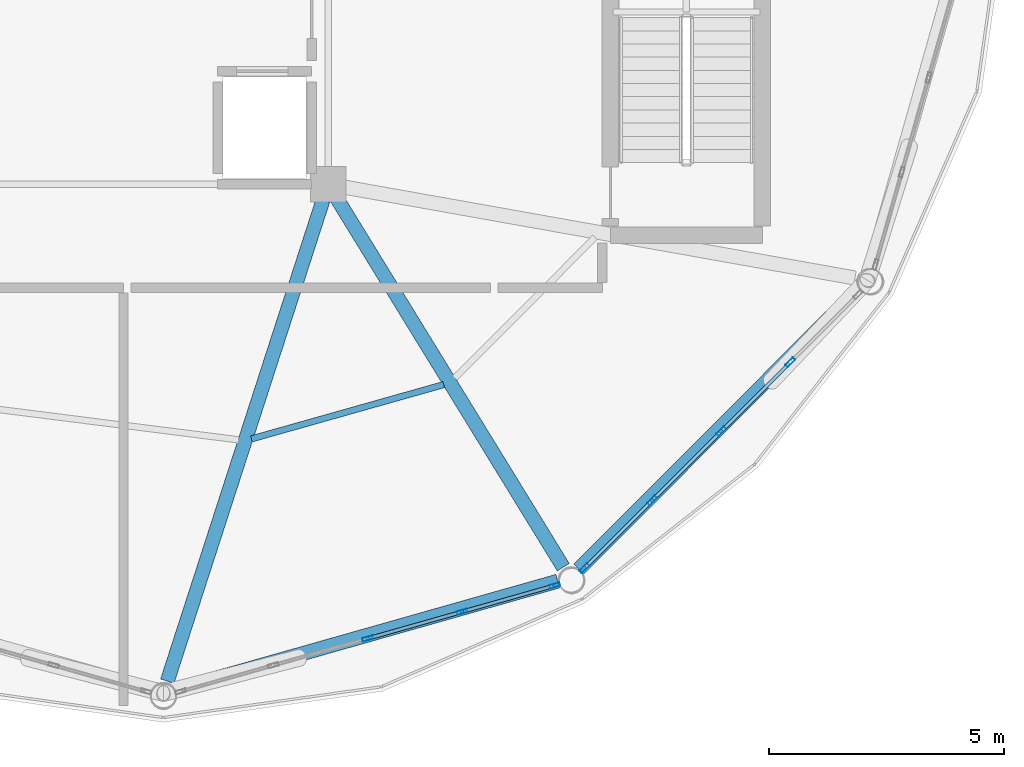
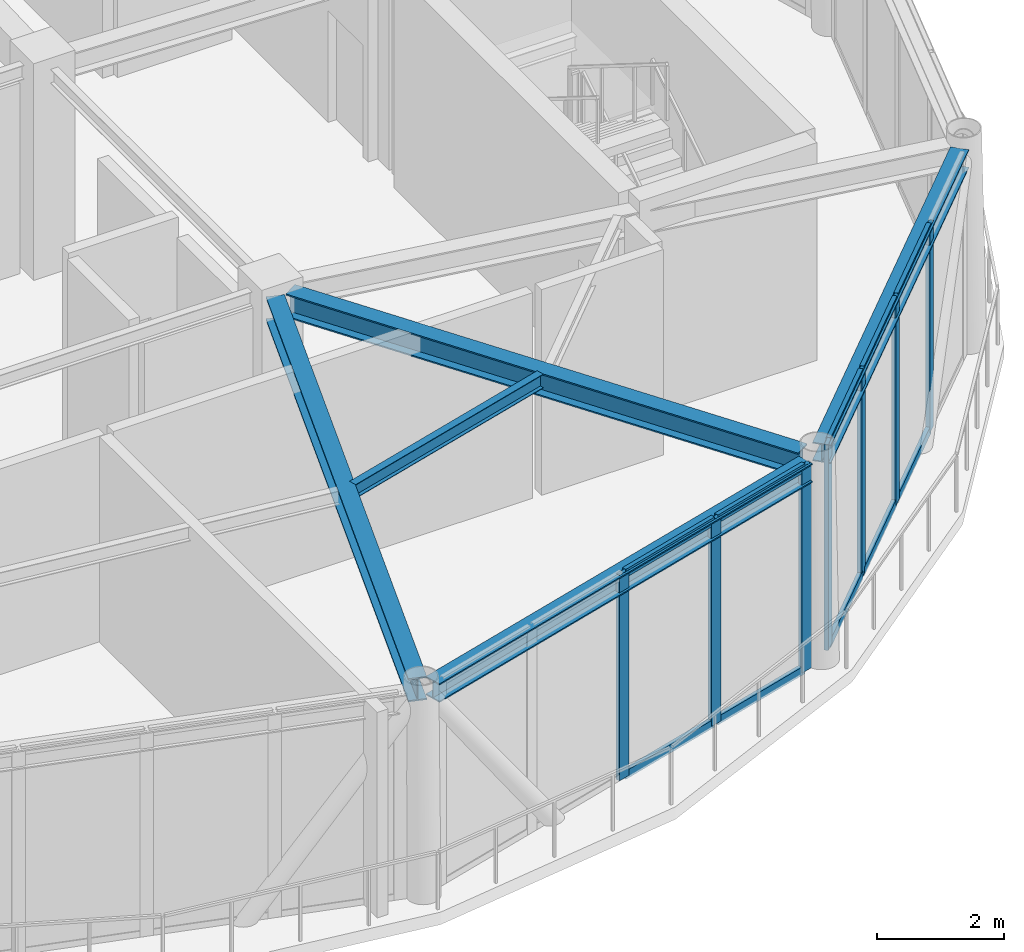
# One storey, part 5 of 20: 17 members, 5 beams, 2 elements without a shape of their own.
"""IFC4 building model written with IfcOpenShell, lengths in metres."""

from ifc_helpers import new_model, si_unit, direction, frame, origin, origin_2d, place, context, subcontext, project, spatial, hollow_rectangle, i_section, extrude, material, layer, layer_set, material_profile, profile_set, type_object, element, aggregate, save


model = new_model("IFC4")

# Units and contexts
model_context = context("Model", 3, precision=1e-05, world=origin(), true_north=direction((0.0, 1.0)))
body_context = subcontext(model_context, "Body", "Model", "MODEL_VIEW")
ifc_project = project(units=[si_unit("LENGTHUNIT", "METRE"), si_unit("AREAUNIT", "SQUARE_METRE"), si_unit("VOLUMEUNIT", "CUBIC_METRE"), si_unit("PLANEANGLEUNIT", "RADIAN"), si_unit("MASSUNIT", "GRAM", prefix="KILO")], contexts=[model_context])

# Site, building, storey
site_placement = place(None, origin())
site = spatial("IfcSite", under=ifc_project, at=site_placement, CompositionType="ELEMENT")
building_placement = place(site_placement, origin())
building = spatial("IfcBuilding", under=site, at=building_placement, Name="Varnakorn Sky Granary", CompositionType="ELEMENT")
storey_placement = place(building_placement, frame((0.0, 0.0, 302.39990234375)))
storey = spatial("IfcBuildingStorey", under=building, at=storey_placement, Name="L77", CompositionType="ELEMENT", Elevation=302.39990234375)

# Beams
ifc_material_1 = material(Name="Steel S355JR", Category="steel")
ifc_material_profile_1 = material_profile(ifc_material_1, i_section(OverallWidth=0.300048828125, OverallDepth=0.449951171875, WebThickness=0.013916015625, FlangeThickness=0.02587890625, at=origin_2d()), Name="HE 450 B")
ifc_profile_set_1 = profile_set([ifc_material_profile_1], Name="Steel S355JR")
beam_type_1 = type_object("IfcBeamType", Name="BM-RAD-Z5", PredefinedType="BEAM", material=ifc_profile_set_1)
beam_1_placement = place(storey_placement, frame((8.24072265625, -6.937744140625, 3.735107421875), z_axis=(-0.30793520471, -0.951407331115, 0.0), x_axis=(0.951407331115, -0.30793520471, 0.0)))
element("IfcBeam", 1, at=beam_1_placement, inside=storey, type_object=beam_type_1, Name="Radial Floor Girder RG10 L77", PredefinedType="BEAM", context=body_context, shape_type="SweptSolid", body=[
    extrude(i_section(OverallWidth=0.300048828125, OverallDepth=0.449951171875, WebThickness=0.013916015625, FlangeThickness=0.02587890625, at=origin_2d()), origin(), (0.0, 0.0, 1.0), 10.746826171875),
])
beam_2_placement = place(storey_placement, frame((8.535888671875, -6.902587890625, 3.735107421875), z_axis=(0.523269121845, -0.852167487131, 0.0), x_axis=(0.852167487131, 0.523269121845, 0.0)))
element("IfcBeam", 2, at=beam_2_placement, inside=storey, type_object=beam_type_1, Name="Radial Floor Girder RG11 L77", PredefinedType="BEAM", context=body_context, shape_type="SweptSolid", body=[
    extrude(i_section(OverallWidth=0.300048828125, OverallDepth=0.449951171875, WebThickness=0.013916015625, FlangeThickness=0.02587890625, at=origin_2d()), origin(), (0.0, 0.0, 1.0), 9.195556640625),
])
ifc_material_profile_2 = material_profile(ifc_material_1, i_section(OverallWidth=0.135009765625, OverallDepth=0.27001953125, WebThickness=0.006591796875, FlangeThickness=0.01025390625, at=origin_2d()), Name="IPE 270")
ifc_profile_set_2 = profile_set([ifc_material_profile_2], Name="Steel S355JR")
beam_type_2 = type_object("IfcBeamType", Name="BM-SEC-Z5", PredefinedType="BEAM", material=ifc_profile_set_2)
beam_3_placement = place(storey_placement, frame((6.720703125, -12.01220703125, 3.8251953125), z_axis=(0.962384934374, 0.271689598788, 0.0), x_axis=(-0.271689598788, 0.962384934374, 0.0)))
element("IfcBeam", 3, at=beam_3_placement, inside=storey, type_object=beam_type_2, Name="Secondary Floor Chord Beam MSB10 L77", PredefinedType="BEAM", context=body_context, shape_type="SweptSolid", body=[
    extrude(i_section(OverallWidth=0.135009765625, OverallDepth=0.27001953125, WebThickness=0.006591796875, FlangeThickness=0.01025390625, at=origin_2d()), origin(), (0.0, 0.0, 1.0), 4.245849609375),
])
ifc_material_profile_3 = material_profile(ifc_material_1, i_section(OverallWidth=0.300048828125, OverallDepth=0.360107421875, WebThickness=0.012451171875, FlangeThickness=0.0224609375, at=origin_2d()), Name="HE 360 B")
ifc_profile_set_3 = profile_set([ifc_material_profile_3], Name="Steel S355JR")
beam_type_3 = type_object("IfcBeamType", Name="BM-SPD-Z5", PredefinedType="SPANDREL", material=ifc_profile_set_3)
beam_4_placement = place(storey_placement, frame((5.1044921875, -17.341796875, 3.780029296875), z_axis=(0.962040266262, 0.272907541286, 0.0), x_axis=(-0.272907541286, 0.962040266262, 0.0)))
element("IfcBeam", 4, at=beam_4_placement, inside=storey, type_object=beam_type_3, Name="Perimeter Spandrel Ring Beam RB10 L77", PredefinedType="SPANDREL", context=body_context, shape_type="SweptSolid", body=[
    extrude(i_section(OverallWidth=0.300048828125, OverallDepth=0.360107421875, WebThickness=0.012451171875, FlangeThickness=0.0224609375, at=origin_2d()), origin(), (0.0, 0.0, 1.0), 8.447509765625),
])
beam_5_placement = place(storey_placement, frame((13.673095703125, -14.777099609375, 3.780029296875), z_axis=(0.706961677093, 0.70725185551, 0.0), x_axis=(-0.70725185551, 0.706961677093, 0.0)))
element("IfcBeam", 5, at=beam_5_placement, inside=storey, type_object=beam_type_3, Name="Perimeter Spandrel Ring Beam RB11 L77", PredefinedType="SPANDREL", context=body_context, shape_type="SweptSolid", body=[
    extrude(i_section(OverallWidth=0.300048828125, OverallDepth=0.360107421875, WebThickness=0.012451171875, FlangeThickness=0.0224609375, at=origin_2d()), origin(), (0.0, 0.0, 1.0), 8.41357421875),
])

# Curtain wall, members
ifc_material_2 = material(Name="Anodised Bronze Aluminium Alloy 6063-T6", Category="aluminium")
ifc_layer = layer(ifc_material_2, 0.22998046875, Name="Anodised Bronze Aluminium Alloy 6063-T6")
ifc_layer_set = layer_set([ifc_layer], Name="Anodised Bronze Aluminium Alloy 6063-T6")
curtain_wall_type = type_object("IfcCurtainWallType", Name="CW-LNT-1", PredefinedType="USERDEFINED", material=ifc_layer_set)
curtain_wall_1_placement = place(storey_placement, origin())
curtain_wall_1 = element("IfcCurtainWall", 6, at=curtain_wall_1_placement, inside=storey, type_object=curtain_wall_type, Name="Unitised Curtain Wall CW7 CW-L77-B10", ObjectType="CURTAIN WALL", PredefinedType="USERDEFINED")
ifc_material_profile_4 = material_profile(ifc_material_2, hollow_rectangle(XDim=0.074951171875, YDim=0.219970703125, WallThickness=0.00390625, at=origin_2d()), Name="ALU MULL 75x220")
ifc_profile_set_4 = profile_set([ifc_material_profile_4], Name="Anodised Bronze Aluminium Alloy 6063-T6")
member_type_1 = type_object("IfcMemberType", Name="CW-LNT-1-MULL", PredefinedType="MULLION", material=ifc_profile_set_4)
member_1_placement = place(storey_placement, frame((13.166259765625, -15.129150390625, 0.0), z_axis=(0.0, 0.0, 1.0), x_axis=(0.272649549095, -0.962113415029, 0.0)))
member_1 = element("IfcMember", 7, at=member_1_placement, type_object=member_type_1, Name="CW7 mullion 1", PredefinedType="MULLION", context=body_context, shape_type="SweptSolid", body=[
    extrude(hollow_rectangle(XDim=0.074951171875, YDim=0.219970703125, WallThickness=0.00390625, at=origin_2d()), origin(), (0.0, 0.0, 1.0), 3.960205078125),
])
member_2_placement = place(storey_placement, frame((11.196044921875, -15.6875, 0.0), z_axis=(0.0, 0.0, 1.0), x_axis=(0.272649549095, -0.962113415029, 0.0)))
member_2 = element("IfcMember", 8, at=member_2_placement, type_object=member_type_1, Name="CW7 mullion 2", PredefinedType="MULLION", context=body_context, shape_type="SweptSolid", body=[
    extrude(hollow_rectangle(XDim=0.074951171875, YDim=0.219970703125, WallThickness=0.00390625, at=origin_2d()), origin(), (0.0, 0.0, 1.0), 3.960205078125),
])
member_3_placement = place(storey_placement, frame((9.189453125, -16.256103515625, 0.0), z_axis=(0.0, 0.0, 1.0), x_axis=(0.272649549095, -0.962113415029, 0.0)))
member_3 = element("IfcMember", 9, at=member_3_placement, type_object=member_type_1, Name="CW7 mullion 3", PredefinedType="MULLION", context=body_context, shape_type="SweptSolid", body=[
    extrude(hollow_rectangle(XDim=0.074951171875, YDim=0.219970703125, WallThickness=0.00390625, at=origin_2d()), origin(), (0.0, 0.0, 1.0), 3.960205078125),
])

curtain_wall_2_placement = place(storey_placement, origin())
curtain_wall_2 = element("IfcCurtainWall", 10, at=curtain_wall_2_placement, inside=storey, type_object=curtain_wall_type, Name="Unitised Curtain Wall CW7 CW-L77-B11", ObjectType="CURTAIN WALL", PredefinedType="USERDEFINED")
member_4_placement = place(storey_placement, frame((18.174072265625, -10.38330078125, 0.0), z_axis=(0.0, 0.0, 1.0), x_axis=(0.706962264777, -0.707251268066, 0.0)))
member_4 = element("IfcMember", 11, at=member_4_placement, type_object=member_type_1, Name="CW7 mullion 2", PredefinedType="MULLION", context=body_context, shape_type="SweptSolid", body=[
    extrude(hollow_rectangle(XDim=0.074951171875, YDim=0.219970703125, WallThickness=0.00390625, at=origin_2d()), origin(), (0.0, 0.0, 1.0), 3.960205078125),
])
member_5_placement = place(storey_placement, frame((16.705810546875, -11.850830078125, 0.0), z_axis=(0.0, 0.0, 1.0), x_axis=(0.706962264777, -0.707251268066, 0.0)))
member_5 = element("IfcMember", 12, at=member_5_placement, type_object=member_type_1, Name="CW7 mullion 3", PredefinedType="MULLION", context=body_context, shape_type="SweptSolid", body=[
    extrude(hollow_rectangle(XDim=0.074951171875, YDim=0.219970703125, WallThickness=0.00390625, at=origin_2d()), origin(), (0.0, 0.0, 1.0), 3.960205078125),
])
member_6_placement = place(storey_placement, frame((15.2373046875, -13.318603515625, 0.0), z_axis=(0.0, 0.0, 1.0), x_axis=(0.706962264777, -0.707251268066, 0.0)))
member_6 = element("IfcMember", 13, at=member_6_placement, type_object=member_type_1, Name="CW7 mullion 4", PredefinedType="MULLION", context=body_context, shape_type="SweptSolid", body=[
    extrude(hollow_rectangle(XDim=0.074951171875, YDim=0.219970703125, WallThickness=0.00390625, at=origin_2d()), origin(), (0.0, 0.0, 1.0), 3.960205078125),
])
member_7_placement = place(storey_placement, frame((13.795654296875, -14.760009765625, 0.0), z_axis=(0.0, 0.0, 1.0), x_axis=(0.706962264777, -0.707251268066, 0.0)))
member_7 = element("IfcMember", 14, at=member_7_placement, type_object=member_type_1, Name="CW7 mullion 5", PredefinedType="MULLION", context=body_context, shape_type="SweptSolid", body=[
    extrude(hollow_rectangle(XDim=0.074951171875, YDim=0.219970703125, WallThickness=0.00390625, at=origin_2d()), origin(), (0.0, 0.0, 1.0), 3.960205078125),
])

# Member
ifc_material_profile_5 = material_profile(ifc_material_2, hollow_rectangle(XDim=0.074951171875, YDim=0.159912109375, WallThickness=0.00390625, at=origin_2d()), Name="ALU TRAN 75x160")
ifc_profile_set_5 = profile_set([ifc_material_profile_5], Name="Anodised Bronze Aluminium Alloy 6063-T6")
member_type_2 = type_object("IfcMemberType", Name="CW-LNT-1-TRAN", PredefinedType="USERDEFINED", material=ifc_profile_set_5)
member_8_placement = place(storey_placement, frame((13.130126953125, -15.139404296875, 0.03759765625), z_axis=(-0.962091559003, -0.27272666187, 0.0), x_axis=(0.27272666187, -0.962091559003, 0.0)))
member_8 = element("IfcMember", 15, at=member_8_placement, type_object=member_type_2, Name="CW7 transom 1.1", ObjectType="TRANSOM", PredefinedType="USERDEFINED", context=body_context, shape_type="SweptSolid", body=[
    extrude(hollow_rectangle(XDim=0.074951171875, YDim=0.159912109375, WallThickness=0.00390625, at=origin_2d()), origin(), (0.0, 0.0, 1.0), 1.972900390625),
])

member_9_placement = place(storey_placement, frame((13.130126953125, -15.139404296875, 3.922607421875), z_axis=(-0.962091559003, -0.27272666187, 0.0), x_axis=(0.27272666187, -0.962091559003, 0.0)))
member_9 = element("IfcMember", 16, at=member_9_placement, type_object=member_type_2, Name="CW7 transom 1.2", ObjectType="TRANSOM", PredefinedType="USERDEFINED", context=body_context, shape_type="SweptSolid", body=[
    extrude(hollow_rectangle(XDim=0.074951171875, YDim=0.159912109375, WallThickness=0.00390625, at=origin_2d()), origin(), (0.0, 0.0, 1.0), 1.972900390625),
])

member_10_placement = place(storey_placement, frame((11.159912109375, -15.69775390625, 0.03759765625), z_axis=(-0.962090091913, -0.272731837238, 0.0), x_axis=(0.272731837238, -0.962090091913, 0.0)))
member_10 = element("IfcMember", 17, at=member_10_placement, type_object=member_type_2, Name="CW7 transom 2.1", ObjectType="TRANSOM", PredefinedType="USERDEFINED", context=body_context, shape_type="SweptSolid", body=[
    extrude(hollow_rectangle(XDim=0.074951171875, YDim=0.159912109375, WallThickness=0.00390625, at=origin_2d()), origin(), (0.0, 0.0, 1.0), 2.010498046875),
])

member_11_placement = place(storey_placement, frame((11.159912109375, -15.69775390625, 3.922607421875), z_axis=(-0.962090091913, -0.272731837238, 0.0), x_axis=(0.272731837238, -0.962090091913, 0.0)))
member_11 = element("IfcMember", 18, at=member_11_placement, type_object=member_type_2, Name="CW7 transom 2.2", ObjectType="TRANSOM", PredefinedType="USERDEFINED", context=body_context, shape_type="SweptSolid", body=[
    extrude(hollow_rectangle(XDim=0.074951171875, YDim=0.159912109375, WallThickness=0.00390625, at=origin_2d()), origin(), (0.0, 0.0, 1.0), 2.010498046875),
])

aggregate(curtain_wall_1, [member_1, member_2, member_3, member_8, member_9, member_10, member_11])

member_12_placement = place(storey_placement, frame((18.1474609375, -10.40966796875, 0.03759765625), z_axis=(-0.70722876976, -0.706984771564, 0.0), x_axis=(0.706984771564, -0.70722876976, 0.0)))
member_12 = element("IfcMember", 19, at=member_12_placement, type_object=member_type_2, Name="CW7 transom 2.1", ObjectType="TRANSOM", PredefinedType="USERDEFINED", context=body_context, shape_type="SweptSolid", body=[
    extrude(hollow_rectangle(XDim=0.074951171875, YDim=0.159912109375, WallThickness=0.00390625, at=origin_2d()), origin(), (0.0, 0.0, 1.0), 2.001220703125),
])

member_13_placement = place(storey_placement, frame((18.1474609375, -10.40966796875, 3.922607421875), z_axis=(-0.70722876976, -0.706984771564, 0.0), x_axis=(0.706984771564, -0.70722876976, 0.0)))
member_13 = element("IfcMember", 20, at=member_13_placement, type_object=member_type_2, Name="CW7 transom 2.2", ObjectType="TRANSOM", PredefinedType="USERDEFINED", context=body_context, shape_type="SweptSolid", body=[
    extrude(hollow_rectangle(XDim=0.074951171875, YDim=0.159912109375, WallThickness=0.00390625, at=origin_2d()), origin(), (0.0, 0.0, 1.0), 2.001220703125),
])

member_14_placement = place(storey_placement, frame((16.67919921875, -11.87744140625, 0.03759765625), z_axis=(-0.70722876976, -0.706984771564, 0.0), x_axis=(0.706984771564, -0.70722876976, 0.0)))
member_14 = element("IfcMember", 21, at=member_14_placement, type_object=member_type_2, Name="CW7 transom 3.1", ObjectType="TRANSOM", PredefinedType="USERDEFINED", context=body_context, shape_type="SweptSolid", body=[
    extrude(hollow_rectangle(XDim=0.074951171875, YDim=0.159912109375, WallThickness=0.00390625, at=origin_2d()), origin(), (0.0, 0.0, 1.0), 2.001220703125),
])

member_15_placement = place(storey_placement, frame((16.67919921875, -11.87744140625, 3.922607421875), z_axis=(-0.70722876976, -0.706984771564, 0.0), x_axis=(0.706984771564, -0.70722876976, 0.0)))
member_15 = element("IfcMember", 22, at=member_15_placement, type_object=member_type_2, Name="CW7 transom 3.2", ObjectType="TRANSOM", PredefinedType="USERDEFINED", context=body_context, shape_type="SweptSolid", body=[
    extrude(hollow_rectangle(XDim=0.074951171875, YDim=0.159912109375, WallThickness=0.00390625, at=origin_2d()), origin(), (0.0, 0.0, 1.0), 2.001220703125),
])

member_16_placement = place(storey_placement, frame((15.2109375, -13.34521484375, 0.03759765625), z_axis=(-0.707231107651, -0.706982432859, 0.0), x_axis=(0.706982432859, -0.707231107651, 0.0)))
member_16 = element("IfcMember", 23, at=member_16_placement, type_object=member_type_2, Name="CW7 transom 4.1", ObjectType="TRANSOM", PredefinedType="USERDEFINED", context=body_context, shape_type="SweptSolid", body=[
    extrude(hollow_rectangle(XDim=0.074951171875, YDim=0.159912109375, WallThickness=0.00390625, at=origin_2d()), origin(), (0.0, 0.0, 1.0), 1.963623046875),
])

member_17_placement = place(storey_placement, frame((15.2109375, -13.34521484375, 3.922607421875), z_axis=(-0.707231107651, -0.706982432859, 0.0), x_axis=(0.706982432859, -0.707231107651, 0.0)))
member_17 = element("IfcMember", 24, at=member_17_placement, type_object=member_type_2, Name="CW7 transom 4.2", ObjectType="TRANSOM", PredefinedType="USERDEFINED", context=body_context, shape_type="SweptSolid", body=[
    extrude(hollow_rectangle(XDim=0.074951171875, YDim=0.159912109375, WallThickness=0.00390625, at=origin_2d()), origin(), (0.0, 0.0, 1.0), 1.963623046875),
])

aggregate(curtain_wall_2, [member_4, member_5, member_6, member_7, member_12, member_13, member_14, member_15, member_16, member_17])

save(model, "model.ifc")
